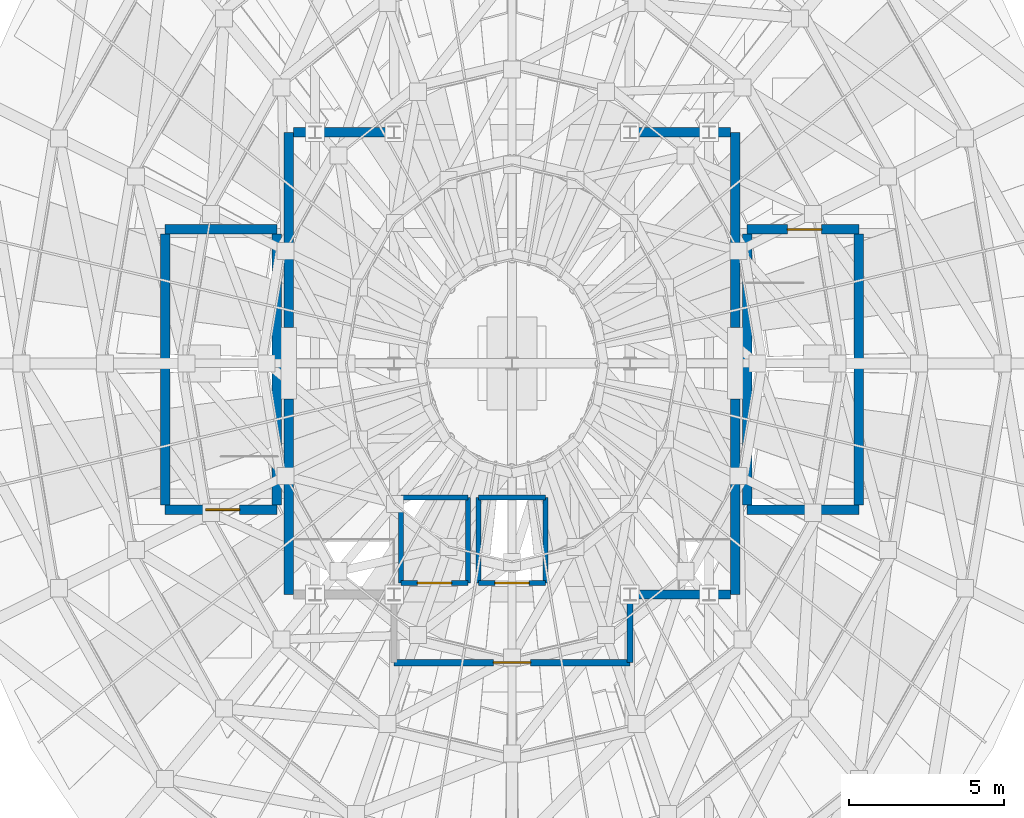
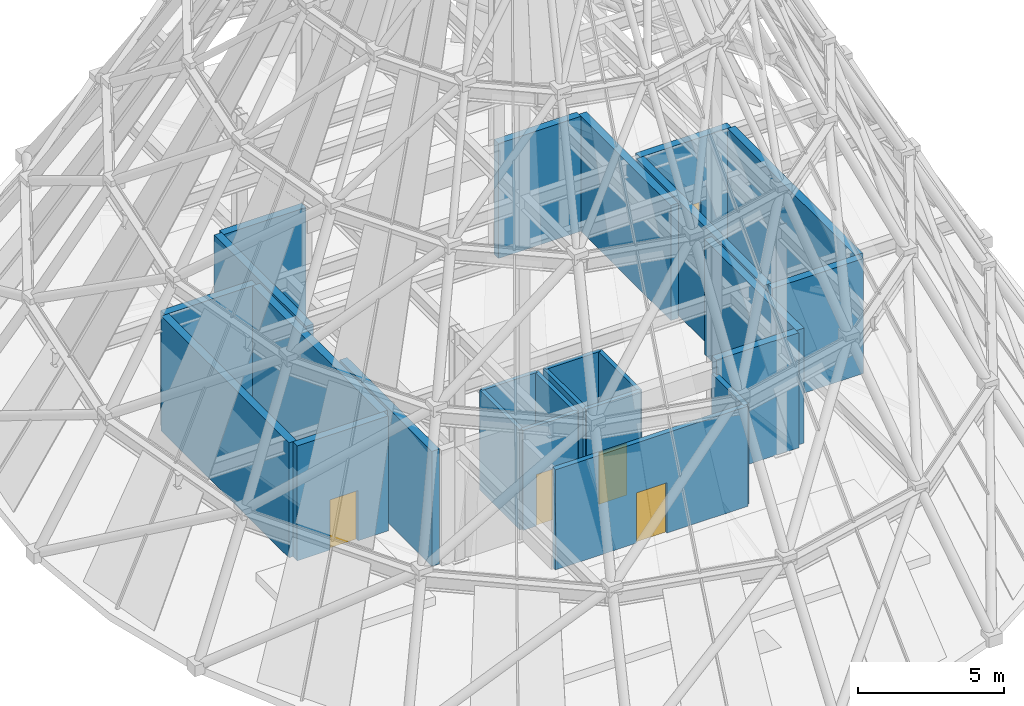
# One storey, part 14 of 16: 25 walls, 5 doors, 5 openings.
"""IFC4 building model written with IfcOpenShell, lengths in metres."""

from ifc_helpers import new_model, si_unit, direction, frame, frame_2d, origin, place, context, subcontext, project, spatial, rectangle, extrude, material, layer, layer_set, type_object, element, fill, save


model = new_model("IFC4")

# Units and contexts
model_context = context("Model", 3, precision=1e-05, world=origin(), true_north=direction((0.0, 1.0)))
body_context = subcontext(model_context, "Body", "Model", "MODEL_VIEW")
ifc_project = project(units=[si_unit("LENGTHUNIT", "METRE"), si_unit("AREAUNIT", "SQUARE_METRE"), si_unit("VOLUMEUNIT", "CUBIC_METRE"), si_unit("PLANEANGLEUNIT", "RADIAN"), si_unit("MASSUNIT", "GRAM", prefix="KILO")], contexts=[model_context])

# Site, building, storey
site_placement = place(None, origin())
site = spatial("IfcSite", under=ifc_project, at=site_placement, CompositionType="ELEMENT")
building_placement = place(site_placement, origin())
building = spatial("IfcBuilding", under=site, at=building_placement, Name="Veldorina Hangang Commons", CompositionType="ELEMENT")
storey_placement = place(building_placement, frame((0.0, 0.0, 308.39990234375)))
storey = spatial("IfcBuildingStorey", under=building, at=storey_placement, Name="Crown", CompositionType="ELEMENT", Elevation=308.39990234375)

# Walls
ifc_material_1 = material(Name="Concrete C50/60", Category="concrete")
ifc_layer_1 = layer(ifc_material_1, 0.300048828125)
ifc_layer_set_1 = layer_set([ifc_layer_1], Name="Concrete C50/60")
wall_type_1 = type_object("IfcWallType", Name="CW-RC300-C50", PredefinedType="SHEAR", material=ifc_layer_set_1)
for number, where, z_axis, x_axis, name in (
    (1, (24.800048828125, 16.550048828125, 0.0), (0.0, 0.0, 1.0), (0.0, 1.0, 0.0), "Crown W south core shear wall"),
    (2, (24.800048828125, 25.14990234375, 0.0), (0.0, 0.0, 1.0), (0.0, 1.0, 0.0), "Crown W north core shear wall"),
    (3, (39.199951171875, 16.550048828125, 0.0), (0.0, 0.0, 1.0), (0.0, 1.0, 0.0), "Crown E south core shear wall"),
    (4, (39.199951171875, 25.14990234375, 0.0), (0.0, 0.0, 1.0), (0.0, 1.0, 0.0), "Crown E north core shear wall"),
):
    element("IfcWall", number, at=place(storey_placement, frame(where, z_axis=z_axis, x_axis=x_axis)), inside=storey, type_object=wall_type_1, Name=name, PredefinedType="SHEAR", context=body_context, shape_type="SweptSolid", body=[
        extrude(rectangle(XDim=6.300048828125, YDim=0.300048828125, at=frame_2d((3.14990234375, 0.0))), origin(), (0.0, 0.0, 1.0), 4.800048828125),
    ])
for number, where, z_axis, x_axis, name in (
    (5, (35.800048828125, 16.550048828125, 0.0), (0.0, 0.0, 1.0), (1.0, 0.0, 0.0), "Crown south-east core shear wall"),
    (6, (24.949951171875, 31.449951171875, 0.0), (0.0, 0.0, 1.0), (1.0, 0.0, 0.0), "Crown north-west core shear wall"),
    (7, (35.800048828125, 31.449951171875, 0.0), (0.0, 0.0, 1.0), (1.0, 0.0, 0.0), "Crown north-east core shear wall"),
):
    element("IfcWall", number, at=place(storey_placement, frame(where, z_axis=z_axis, x_axis=x_axis)), inside=storey, type_object=wall_type_1, Name=name, PredefinedType="SHEAR", context=body_context, shape_type="SweptSolid", body=[
        extrude(rectangle(XDim=3.25, YDim=0.300048828125, at=frame_2d((1.625, 0.0))), origin(), (0.0, 0.0, 1.0), 4.800048828125),
    ])
ifc_layer_2 = layer(ifc_material_1, 0.300048828125)
ifc_layer_set_2 = layer_set([ifc_layer_2], Name="Concrete C50/60")
wall_type_2 = type_object("IfcWallType", Name="SW-STAIR-300", PredefinedType="SHEAR", material=ifc_layer_set_2)
for number, where, z_axis, x_axis, name in (
    (8, (20.820068359375, 19.429931640625, 0.0), (0.0, 0.0, 1.0), (0.0, 1.0, 0.0), "Crown ST1 outer stair shear wall"),
    (9, (24.419921875, 19.429931640625, 0.0), (0.0, 0.0, 1.0), (0.0, 1.0, 0.0), "Crown ST1 inner stair shear wall"),
):
    element("IfcWall", number, at=place(storey_placement, frame(where, z_axis=z_axis, x_axis=x_axis)), inside=storey, type_object=wall_type_2, Name=name, PredefinedType="SHEAR", context=body_context, shape_type="SweptSolid", body=[
        extrude(rectangle(XDim=8.739990234375, YDim=0.300048828125, at=frame_2d((4.3701171875, 0.0))), origin(), (0.0, 0.0, 1.0), 4.800048828125),
    ])

# Wall, opening, door
wall_1_placement = place(storey_placement, frame((20.820068359375, 19.280029296875, 0.0), z_axis=(0.0, 0.0, 1.0), x_axis=(1.0, 0.0, 0.0)))
wall_1 = element("IfcWall", 10, at=wall_1_placement, inside=storey, type_object=wall_type_2, Name="Crown ST1 south stair shear wall", PredefinedType="SHEAR", context=body_context, shape_type="SweptSolid", body=[
    extrude(rectangle(XDim=3.599853515625, YDim=0.300048828125, at=frame_2d((1.7998046875, 0.0))), origin(), (0.0, 0.0, 1.0), 4.800048828125),
])
opening_1_placement = place(wall_1_placement, frame((1.300048828125, 0.0, 0.0)))
opening_1 = element("IfcOpeningElement", 11, at=opening_1_placement, cuts=wall_1, Name="Opening D-08", PredefinedType="OPENING", context=body_context, shape_type="SweptSolid", body=[
    extrude(rectangle(XDim=1.10009765625, YDim=2.10009765625, at=frame_2d((0.550048828125, 1.050048828125))), frame((0.0, 0.16015625, 0.0), z_axis=(0.0, -1.0, 0.0), x_axis=(1.0, 0.0, 0.0)), (0.0, 0.0, 1.0), 0.320068359375),
])
ifc_material_2 = material(Name="Steel Fire-Rated Smoke Seal", Category="steel")
door_type_1 = type_object("IfcDoorType", Name="DR-FIRE-1100", OperationType="SINGLE_SWING_RIGHT", PredefinedType="DOOR", material=ifc_material_2)
door_1_placement = place(opening_1_placement, origin())
door_1 = element("IfcDoor", 12, at=door_1_placement, inside=storey, type_object=door_type_1, Name="Crown Special Escape Stair ST-1 door", OperationType="SINGLE_SWING_LEFT", OverallHeight=2.10009765625, OverallWidth=1.10009765625, PredefinedType="DOOR", context=body_context, shape_type="SweptSolid", body=[
    extrude(rectangle(XDim=1.10009765625, YDim=2.10009765625, at=frame_2d((0.550048828125, 1.050048828125))), frame((0.0, 0.02490234375, 0.0), z_axis=(0.0, -1.0, 0.0), x_axis=(1.0, 0.0, 0.0)), (0.0, 0.0, 1.0), 0.050048828125),
])
fill(opening_1, door_1)

# Walls
wall_2_placement = place(storey_placement, frame((20.820068359375, 28.320068359375, 0.0), z_axis=(0.0, 0.0, 1.0), x_axis=(1.0, 0.0, 0.0)))
element("IfcWall", 13, at=wall_2_placement, inside=storey, type_object=wall_type_2, Name="Crown ST1 north stair shear wall", PredefinedType="SHEAR", context=body_context, shape_type="SweptSolid", body=[
    extrude(rectangle(XDim=3.599853515625, YDim=0.300048828125, at=frame_2d((1.7998046875, 0.0))), origin(), (0.0, 0.0, 1.0), 4.800048828125),
])
for number, where, z_axis, x_axis, name in (
    (14, (43.179931640625, 19.429931640625, 0.0), (0.0, 0.0, 1.0), (0.0, 1.0, 0.0), "Crown ST2 outer stair shear wall"),
    (15, (39.580078125, 19.429931640625, 0.0), (0.0, 0.0, 1.0), (0.0, 1.0, 0.0), "Crown ST2 inner stair shear wall"),
):
    element("IfcWall", number, at=place(storey_placement, frame(where, z_axis=z_axis, x_axis=x_axis)), inside=storey, type_object=wall_type_2, Name=name, PredefinedType="SHEAR", context=body_context, shape_type="SweptSolid", body=[
        extrude(rectangle(XDim=8.739990234375, YDim=0.300048828125, at=frame_2d((4.3701171875, 0.0))), origin(), (0.0, 0.0, 1.0), 4.800048828125),
    ])
wall_3_placement = place(storey_placement, frame((39.580078125, 19.280029296875, 0.0), z_axis=(0.0, 0.0, 1.0), x_axis=(1.0, 0.0, 0.0)))
element("IfcWall", 16, at=wall_3_placement, inside=storey, type_object=wall_type_2, Name="Crown ST2 south stair shear wall", PredefinedType="SHEAR", context=body_context, shape_type="SweptSolid", body=[
    extrude(rectangle(XDim=3.599853515625, YDim=0.300048828125, at=frame_2d((1.7998046875, 0.0))), origin(), (0.0, 0.0, 1.0), 4.800048828125),
])

# Wall, opening, door
wall_4_placement = place(storey_placement, frame((39.580078125, 28.320068359375, 0.0), z_axis=(0.0, 0.0, 1.0), x_axis=(1.0, 0.0, 0.0)))
wall_4 = element("IfcWall", 17, at=wall_4_placement, inside=storey, type_object=wall_type_2, Name="Crown ST2 north stair shear wall", PredefinedType="SHEAR", context=body_context, shape_type="SweptSolid", body=[
    extrude(rectangle(XDim=3.599853515625, YDim=0.300048828125, at=frame_2d((1.7998046875, 0.0))), origin(), (0.0, 0.0, 1.0), 4.800048828125),
])
opening_2_placement = place(wall_4_placement, frame((1.300048828125, 0.0, 0.0)))
opening_2 = element("IfcOpeningElement", 18, at=opening_2_placement, cuts=wall_4, Name="Opening D-08", PredefinedType="OPENING", context=body_context, shape_type="SweptSolid", body=[
    extrude(rectangle(XDim=1.10009765625, YDim=2.10009765625, at=frame_2d((0.550048828125, 1.050048828125))), frame((0.0, 0.16015625, 0.0), z_axis=(0.0, -1.0, 0.0), x_axis=(1.0, 0.0, 0.0)), (0.0, 0.0, 1.0), 0.320068359375),
])
door_2_placement = place(opening_2_placement, origin())
door_2 = element("IfcDoor", 19, at=door_2_placement, inside=storey, type_object=door_type_1, Name="Crown Special Escape Stair ST-2 door", OperationType="SINGLE_SWING_RIGHT", OverallHeight=2.10009765625, OverallWidth=1.10009765625, PredefinedType="DOOR", context=body_context, shape_type="SweptSolid", body=[
    extrude(rectangle(XDim=1.10009765625, YDim=2.10009765625, at=frame_2d((0.550048828125, 1.050048828125))), frame((0.0, 0.02490234375, 0.0), z_axis=(0.0, -1.0, 0.0), x_axis=(1.0, 0.0, 0.0)), (0.0, 0.0, 1.0), 0.050048828125),
])
fill(opening_2, door_2)

ifc_material_3 = material(Name="Gypsum Fire-Rated Twin Stud Wall", Category="gypsum")
ifc_layer_3 = layer(ifc_material_3, 0.159912109375)
ifc_layer_set_3 = layer_set([ifc_layer_3], Name="Gypsum Fire-Rated Twin Stud Wall")
wall_type_3 = type_object("IfcWallType", Name="WL-FIRE-160", PredefinedType="SOLIDWALL", material=ifc_layer_set_3)
wall_5_placement = place(storey_placement, frame((28.419921875, 16.919921875, 0.0), z_axis=(0.0, 0.0, 1.0), x_axis=(1.0, 0.0, 0.0)))
wall_5 = element("IfcWall", 20, at=wall_5_placement, inside=storey, type_object=wall_type_3, Name="Crown FFL-1 front shaft wall 004", PredefinedType="SOLIDWALL", context=body_context, shape_type="SweptSolid", body=[
    extrude(rectangle(XDim=2.16015625, YDim=0.159912109375, at=frame_2d((1.080078125, 0.0))), origin(), (0.0, 0.0, 1.0), 4.18017578125),
])
opening_3_placement = place(wall_5_placement, frame((0.530029296875, 0.0, 0.0)))
opening_3 = element("IfcOpeningElement", 21, at=opening_3_placement, cuts=wall_5, Name="Opening LD-03", PredefinedType="OPENING", context=body_context, shape_type="SweptSolid", body=[
    extrude(rectangle(XDim=1.10009765625, YDim=2.14990234375, at=frame_2d((0.550048828125, 1.074951171875))), frame((0.0, 0.08984375, 0.0), z_axis=(0.0, -1.0, 0.0), x_axis=(1.0, 0.0, 0.0)), (0.0, 0.0, 1.0), 0.179931640625),
])
ifc_material_4 = material(Name="Stainless Steel Firefighting Lift Door", Category="steel")
door_type_2 = type_object("IfcDoorType", Name="DR-LIFT-FF1100", OperationType="SLIDING_TO_RIGHT", PredefinedType="DOOR", material=ifc_material_4)
door_3_placement = place(opening_3_placement, origin())
door_3 = element("IfcDoor", 22, at=door_3_placement, inside=storey, type_object=door_type_2, Name="Crown Emergency lift FFL-1 landing door 002", OperationType="SLIDING_TO_RIGHT", OverallHeight=2.14990234375, OverallWidth=1.10009765625, PredefinedType="DOOR", context=body_context, shape_type="SweptSolid", body=[
    extrude(rectangle(XDim=1.10009765625, YDim=2.14990234375, at=frame_2d((0.550048828125, 1.074951171875))), frame((0.0, 0.02490234375, 0.0), z_axis=(0.0, -1.0, 0.0), x_axis=(1.0, 0.0, 0.0)), (0.0, 0.0, 1.0), 0.050048828125),
])
fill(opening_3, door_3)

# Walls
wall_6_placement = place(storey_placement, frame((28.419921875, 19.679931640625, 0.0), z_axis=(0.0, 0.0, 1.0), x_axis=(1.0, 0.0, 0.0)))
element("IfcWall", 23, at=wall_6_placement, inside=storey, type_object=wall_type_3, Name="Crown FFL-1 rear shaft wall 005", PredefinedType="SOLIDWALL", context=body_context, shape_type="SweptSolid", body=[
    extrude(rectangle(XDim=2.16015625, YDim=0.159912109375, at=frame_2d((1.080078125, 0.0))), origin(), (0.0, 0.0, 1.0), 4.18017578125),
])
for number, where, z_axis, x_axis, name in (
    (24, (28.419921875, 16.919921875, 0.0), (0.0, 0.0, 1.0), (0.0, 1.0, 0.0), "Crown FFL-1 west shaft wall 006"),
    (25, (30.580078125, 16.919921875, 0.0), (0.0, 0.0, 1.0), (0.0, 1.0, 0.0), "Crown FFL-1 east shaft wall 007"),
):
    element("IfcWall", number, at=place(storey_placement, frame(where, z_axis=z_axis, x_axis=x_axis)), inside=storey, type_object=wall_type_3, Name=name, PredefinedType="SOLIDWALL", context=body_context, shape_type="SweptSolid", body=[
        extrude(rectangle(XDim=2.760009765625, YDim=0.159912109375, at=frame_2d((1.3798828125, 0.0))), origin(), (0.0, 0.0, 1.0), 4.18017578125),
    ])

# Wall, opening, door
wall_7_placement = place(storey_placement, frame((30.919921875, 16.919921875, 0.0), z_axis=(0.0, 0.0, 1.0), x_axis=(1.0, 0.0, 0.0)))
wall_7 = element("IfcWall", 26, at=wall_7_placement, inside=storey, type_object=wall_type_3, Name="Crown FFL-2 front shaft wall 008", PredefinedType="SOLIDWALL", context=body_context, shape_type="SweptSolid", body=[
    extrude(rectangle(XDim=2.16015625, YDim=0.159912109375, at=frame_2d((1.080078125, 0.0))), origin(), (0.0, 0.0, 1.0), 4.18017578125),
])
opening_4_placement = place(wall_7_placement, frame((0.530029296875, 0.0, 0.0)))
opening_4 = element("IfcOpeningElement", 27, at=opening_4_placement, cuts=wall_7, Name="Opening LD-03", PredefinedType="OPENING", context=body_context, shape_type="SweptSolid", body=[
    extrude(rectangle(XDim=1.10009765625, YDim=2.14990234375, at=frame_2d((0.550048828125, 1.074951171875))), frame((0.0, 0.08984375, 0.0), z_axis=(0.0, -1.0, 0.0), x_axis=(1.0, 0.0, 0.0)), (0.0, 0.0, 1.0), 0.179931640625),
])
door_4_placement = place(opening_4_placement, origin())
door_4 = element("IfcDoor", 28, at=door_4_placement, inside=storey, type_object=door_type_2, Name="Crown Emergency lift FFL-2 landing door 003", OperationType="SLIDING_TO_RIGHT", OverallHeight=2.14990234375, OverallWidth=1.10009765625, PredefinedType="DOOR", context=body_context, shape_type="SweptSolid", body=[
    extrude(rectangle(XDim=1.10009765625, YDim=2.14990234375, at=frame_2d((0.550048828125, 1.074951171875))), frame((0.0, 0.02490234375, 0.0), z_axis=(0.0, -1.0, 0.0), x_axis=(1.0, 0.0, 0.0)), (0.0, 0.0, 1.0), 0.050048828125),
])
fill(opening_4, door_4)

# Walls
wall_8_placement = place(storey_placement, frame((30.919921875, 19.679931640625, 0.0), z_axis=(0.0, 0.0, 1.0), x_axis=(1.0, 0.0, 0.0)))
element("IfcWall", 29, at=wall_8_placement, inside=storey, type_object=wall_type_3, Name="Crown FFL-2 rear shaft wall 009", PredefinedType="SOLIDWALL", context=body_context, shape_type="SweptSolid", body=[
    extrude(rectangle(XDim=2.16015625, YDim=0.159912109375, at=frame_2d((1.080078125, 0.0))), origin(), (0.0, 0.0, 1.0), 4.18017578125),
])
for number, where, z_axis, x_axis, name in (
    (30, (30.919921875, 16.919921875, 0.0), (0.0, 0.0, 1.0), (0.0, 1.0, 0.0), "Crown FFL-2 west shaft wall 010"),
    (31, (33.080078125, 16.919921875, 0.0), (0.0, 0.0, 1.0), (0.0, 1.0, 0.0), "Crown FFL-2 east shaft wall 011"),
):
    element("IfcWall", number, at=place(storey_placement, frame(where, z_axis=z_axis, x_axis=x_axis)), inside=storey, type_object=wall_type_3, Name=name, PredefinedType="SOLIDWALL", context=body_context, shape_type="SweptSolid", body=[
        extrude(rectangle(XDim=2.760009765625, YDim=0.159912109375, at=frame_2d((1.3798828125, 0.0))), origin(), (0.0, 0.0, 1.0), 4.18017578125),
    ])
ifc_material_5 = material(Name="Concrete Blockwork Fire Wall C30/37", Category="masonry")
ifc_layer_4 = layer(ifc_material_5, 0.199951171875)
ifc_layer_set_4 = layer_set([ifc_layer_4], Name="Concrete Blockwork Fire Wall C30/37")
wall_type_4 = type_object("IfcWallType", Name="WL-FIRE-200", PredefinedType="SOLIDWALL", material=ifc_layer_set_4)
wall_9_placement = place(storey_placement, frame((35.800048828125, 14.35009765625, 0.0), z_axis=(0.0, 0.0, 1.0), x_axis=(0.0, 1.0, 0.0)))
element("IfcWall", 32, at=wall_9_placement, inside=storey, type_object=wall_type_4, Name="Crown FF lobby east wall 002", PredefinedType="SOLIDWALL", context=body_context, shape_type="SweptSolid", body=[
    extrude(rectangle(XDim=2.199951171875, YDim=0.199951171875, at=frame_2d((1.10009765625, 0.0))), origin(), (0.0, 0.0, 1.0), 4.18017578125),
])

# Wall, opening, door
wall_10_placement = place(storey_placement, frame((28.199951171875, 14.35009765625, 0.0), z_axis=(0.0, 0.0, 1.0), x_axis=(1.0, 0.0, 0.0)))
wall_10 = element("IfcWall", 33, at=wall_10_placement, inside=storey, type_object=wall_type_4, Name="Crown FF lobby south wall 003", PredefinedType="SOLIDWALL", context=body_context, shape_type="SweptSolid", body=[
    extrude(rectangle(XDim=7.60009765625, YDim=0.199951171875, at=frame_2d((3.800048828125, 0.0))), origin(), (0.0, 0.0, 1.0), 4.18017578125),
])
opening_5_placement = place(wall_10_placement, frame((3.199951171875, 0.0, 0.0)))
opening_5 = element("IfcOpeningElement", 34, at=opening_5_placement, cuts=wall_10, Name="Opening D-09", PredefinedType="OPENING", context=body_context, shape_type="SweptSolid", body=[
    extrude(rectangle(XDim=1.199951171875, YDim=2.10009765625, at=frame_2d((0.60009765625, 1.050048828125))), frame((0.0, 0.10986328125, 0.0), z_axis=(0.0, -1.0, 0.0), x_axis=(1.0, 0.0, 0.0)), (0.0, 0.0, 1.0), 0.219970703125),
])
ifc_material_6 = material(Name="Steel Fire-Rated Corridor Door", Category="steel")
door_type_3 = type_object("IfcDoorType", Name="DR-FIRE-1200", OperationType="SINGLE_SWING_LEFT", PredefinedType="DOOR", material=ifc_material_6)
door_5_placement = place(opening_5_placement, origin())
door_5 = element("IfcDoor", 35, at=door_5_placement, inside=storey, type_object=door_type_3, Name="Crown FF lobby south gallery door 001", OperationType="SINGLE_SWING_LEFT", OverallHeight=2.10009765625, OverallWidth=1.199951171875, PredefinedType="DOOR", context=body_context, shape_type="SweptSolid", body=[
    extrude(rectangle(XDim=1.199951171875, YDim=2.10009765625, at=frame_2d((0.60009765625, 1.050048828125))), frame((0.0, 0.02490234375, 0.0), z_axis=(0.0, -1.0, 0.0), x_axis=(1.0, 0.0, 0.0)), (0.0, 0.0, 1.0), 0.050048828125),
])
fill(opening_5, door_5)

save(model, "model.ifc")
